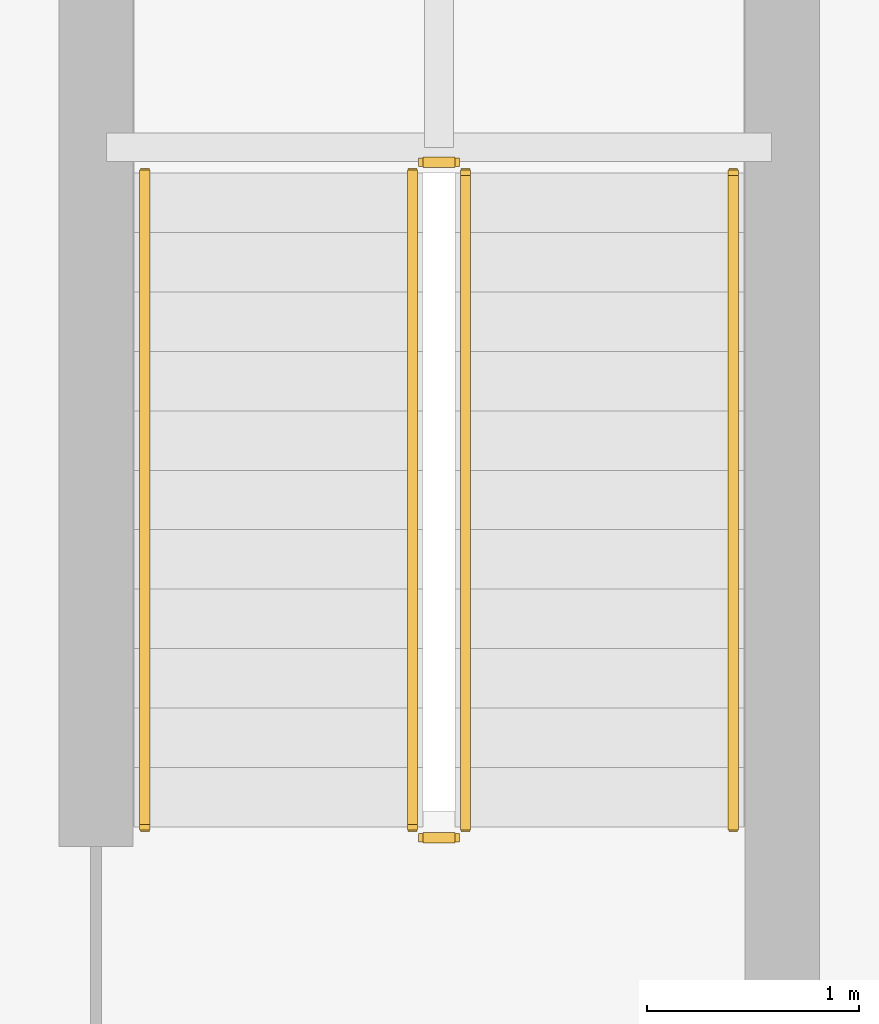
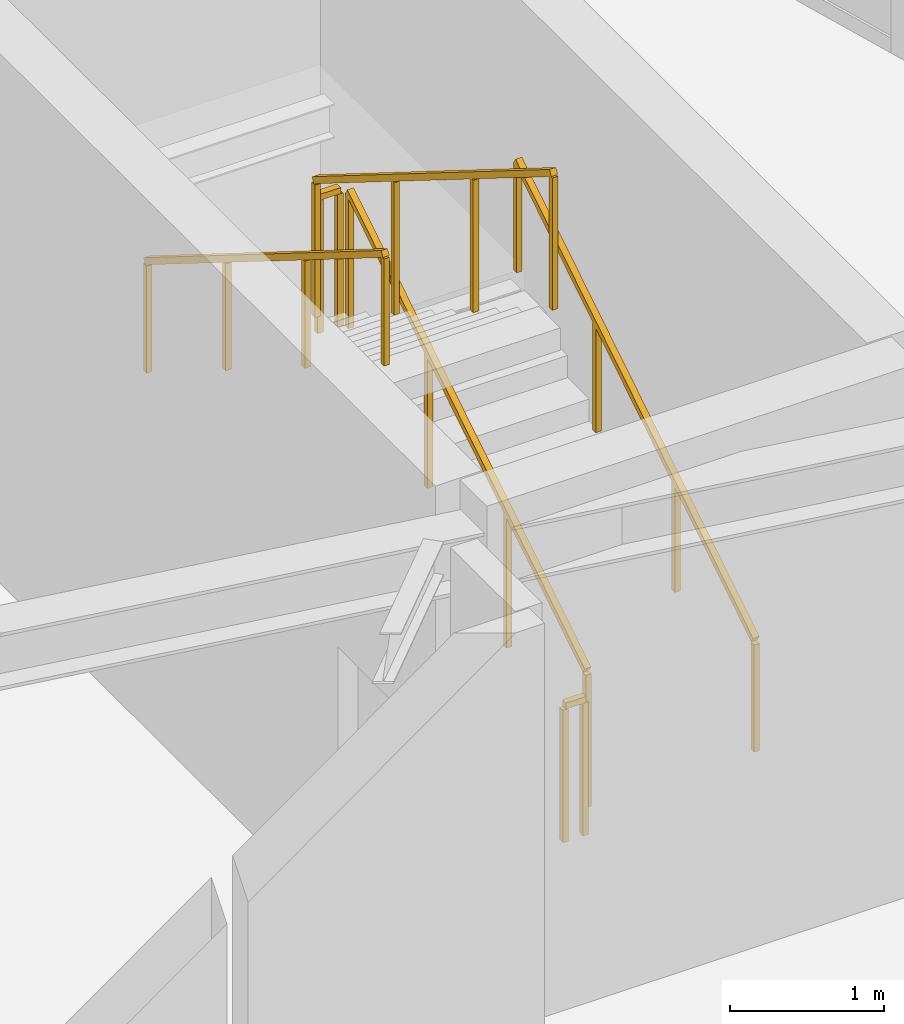
# One storey, part 18 of 20: 6 railings.
"""IFC4 building model written with IfcOpenShell, lengths in metres."""

from ifc_helpers import new_model, si_unit, direction, frame, origin, origin_2d, place, context, subcontext, project, spatial, rectangle, extrude, material, type_object, element, save


model = new_model("IFC4")

# Units and contexts
model_context = context("Model", 3, precision=1e-05, world=origin(), true_north=direction((0.0, 1.0)))
body_context = subcontext(model_context, "Body", "Model", "MODEL_VIEW")
ifc_project = project(units=[si_unit("LENGTHUNIT", "METRE"), si_unit("AREAUNIT", "SQUARE_METRE"), si_unit("VOLUMEUNIT", "CUBIC_METRE"), si_unit("PLANEANGLEUNIT", "RADIAN"), si_unit("MASSUNIT", "GRAM", prefix="KILO")], contexts=[model_context])

# Site, building, storey
site_placement = place(None, origin())
site = spatial("IfcSite", under=ifc_project, at=site_placement, CompositionType="ELEMENT")
building_placement = place(site_placement, origin())
building = spatial("IfcBuilding", under=site, at=building_placement, Name="Varnakorn Sky Granary", CompositionType="ELEMENT")
storey_placement = place(building_placement, frame((0.0, 0.0, 302.39990234375)))
storey = spatial("IfcBuildingStorey", under=building, at=storey_placement, Name="L77", CompositionType="ELEMENT", Elevation=302.39990234375)

# Railings
ifc_material = material(Name="Brushed Stainless Steel 316", Category="steel")
railing_type_1 = type_object("IfcRailingType", Name="RL-STAIR-1100", PredefinedType="GUARDRAIL", material=ifc_material)
railing_1_placement = place(storey_placement, frame((16.090087890625, -6.139892578125, 0.175048828125)))
element("IfcRailing", 1, at=railing_1_placement, inside=storey, type_object=railing_type_1, Name="L77 ST-C2 stair guard 1", PredefinedType="GUARDRAIL", context=body_context, shape_type="SweptSolid", body=[
    extrude(rectangle(XDim=0.048095703125, YDim=0.048095703125, at=origin_2d()), frame((0.0, 0.0, 1.076171875), z_axis=(0.0, 0.847979421464, 0.530029150871), x_axis=(-1.0, 0.0, 0.0)), (0.0, 0.0, 1.0), 3.632080078125),
    extrude(rectangle(XDim=0.0419921875, YDim=0.0419921875, at=origin_2d()), origin(), (0.0, 0.0, 1.0), 1.048095703125),
    extrude(rectangle(XDim=0.0419921875, YDim=0.0419921875, at=origin_2d()), frame((0.0, 1.026611328125, 0.6416015625)), (0.0, 0.0, 1.0), 1.048095703125),
    extrude(rectangle(XDim=0.0419921875, YDim=0.0419921875, at=origin_2d()), frame((0.0, 2.05322265625, 1.283447265625)), (0.0, 0.0, 1.0), 1.048095703125),
    extrude(rectangle(XDim=0.0419921875, YDim=0.0419921875, at=origin_2d()), frame((0.0, 3.079833984375, 1.925048828125)), (0.0, 0.0, 1.0), 1.048095703125),
])
railing_2_placement = place(storey_placement, frame((16.0400390625, -3.010009765625, 2.10009765625)))
element("IfcRailing", 2, at=railing_2_placement, inside=storey, type_object=railing_type_1, Name="L77 ST-C2 stair guard 2", PredefinedType="GUARDRAIL", context=body_context, shape_type="SweptSolid", body=[
    extrude(rectangle(XDim=0.048095703125, YDim=0.048095703125, at=origin_2d()), frame((0.0, 0.0, 1.076171875), z_axis=(-1.0, 0.0, 0.0), x_axis=(0.0, -1.0, 0.0)), (0.0, 0.0, 1.0), 0.150146484375),
    extrude(rectangle(XDim=0.0419921875, YDim=0.0419921875, at=origin_2d()), origin(), (0.0, 0.0, 1.0), 1.048095703125),
    extrude(rectangle(XDim=0.0419921875, YDim=0.0419921875, at=origin_2d()), frame((-0.150146484375, 0.0, 0.0)), (0.0, 0.0, 1.0), 1.048095703125),
])
railing_3_placement = place(storey_placement, frame((15.840087890625, -3.06005859375, 2.275146484375)))
element("IfcRailing", 3, at=railing_3_placement, inside=storey, type_object=railing_type_1, Name="L77 ST-C2 stair guard 3", PredefinedType="GUARDRAIL", context=body_context, shape_type="SweptSolid", body=[
    extrude(rectangle(XDim=0.048095703125, YDim=0.048095703125, at=origin_2d()), frame((0.0, 0.0, 1.076171875), z_axis=(0.0, -0.847979421464, 0.530029150871), x_axis=(1.0, 0.0, 0.0)), (0.0, 0.0, 1.0), 3.632080078125),
    extrude(rectangle(XDim=0.0419921875, YDim=0.0419921875, at=origin_2d()), origin(), (0.0, 0.0, 1.0), 1.048095703125),
    extrude(rectangle(XDim=0.0419921875, YDim=0.0419921875, at=origin_2d()), frame((0.0, -1.026611328125, 0.6416015625)), (0.0, 0.0, 1.0), 1.048095703125),
    extrude(rectangle(XDim=0.0419921875, YDim=0.0419921875, at=origin_2d()), frame((0.0, -2.05322265625, 1.283447265625)), (0.0, 0.0, 1.0), 1.048095703125),
    extrude(rectangle(XDim=0.0419921875, YDim=0.0419921875, at=origin_2d()), frame((0.0, -3.079833984375, 1.925048828125)), (0.0, 0.0, 1.0), 1.048095703125),
])
railing_4_placement = place(storey_placement, frame((16.0400390625, -6.18994140625, 0.0)))
element("IfcRailing", 4, at=railing_4_placement, inside=storey, type_object=railing_type_1, Name="L77 ST-C2 stair guard 4", PredefinedType="GUARDRAIL", context=body_context, shape_type="SweptSolid", body=[
    extrude(rectangle(XDim=0.048095703125, YDim=0.048095703125, at=origin_2d()), frame((0.0, 0.0, 1.076171875), z_axis=(-1.0, 0.0, 0.0), x_axis=(0.0, -1.0, 0.0)), (0.0, 0.0, 1.0), 0.150146484375),
    extrude(rectangle(XDim=0.0419921875, YDim=0.0419921875, at=origin_2d()), origin(), (0.0, 0.0, 1.0), 1.048095703125),
    extrude(rectangle(XDim=0.0419921875, YDim=0.0419921875, at=origin_2d()), frame((-0.150146484375, 0.0, 0.0)), (0.0, 0.0, 1.0), 1.048095703125),
])
railing_type_2 = type_object("IfcRailingType", Name="RL-STAIR-920", PredefinedType="HANDRAIL", material=ifc_material)
railing_5_placement = place(storey_placement, frame((17.35009765625, -6.139892578125, 0.175048828125)))
element("IfcRailing", 5, at=railing_5_placement, inside=storey, type_object=railing_type_2, Name="L77 ST-C2 stair handrail 1", PredefinedType="HANDRAIL", context=body_context, shape_type="SweptSolid", body=[
    extrude(rectangle(XDim=0.048095703125, YDim=0.048095703125, at=origin_2d()), frame((0.0, 0.0, 0.8759765625), z_axis=(0.0, 0.847979421464, 0.530029150871), x_axis=(-1.0, 0.0, 0.0)), (0.0, 0.0, 1.0), 3.632080078125),
    extrude(rectangle(XDim=0.0419921875, YDim=0.0419921875, at=origin_2d()), origin(), (0.0, 0.0, 1.0), 0.847900390625),
    extrude(rectangle(XDim=0.0419921875, YDim=0.0419921875, at=origin_2d()), frame((0.0, 1.026611328125, 0.6416015625)), (0.0, 0.0, 1.0), 0.847900390625),
    extrude(rectangle(XDim=0.0419921875, YDim=0.0419921875, at=origin_2d()), frame((0.0, 2.05322265625, 1.283447265625)), (0.0, 0.0, 1.0), 0.847900390625),
    extrude(rectangle(XDim=0.0419921875, YDim=0.0419921875, at=origin_2d()), frame((0.0, 3.079833984375, 1.925048828125)), (0.0, 0.0, 1.0), 0.847900390625),
])
railing_6_placement = place(storey_placement, frame((14.580078125, -3.06005859375, 2.275146484375)))
element("IfcRailing", 6, at=railing_6_placement, inside=storey, type_object=railing_type_2, Name="L77 ST-C2 stair handrail 2", PredefinedType="HANDRAIL", context=body_context, shape_type="SweptSolid", body=[
    extrude(rectangle(XDim=0.048095703125, YDim=0.048095703125, at=origin_2d()), frame((0.0, 0.0, 0.8759765625), z_axis=(0.0, -0.847979421464, 0.530029150871), x_axis=(1.0, 0.0, 0.0)), (0.0, 0.0, 1.0), 3.632080078125),
    extrude(rectangle(XDim=0.0419921875, YDim=0.0419921875, at=origin_2d()), origin(), (0.0, 0.0, 1.0), 0.847900390625),
    extrude(rectangle(XDim=0.0419921875, YDim=0.0419921875, at=origin_2d()), frame((0.0, -1.026611328125, 0.6416015625)), (0.0, 0.0, 1.0), 0.847900390625),
    extrude(rectangle(XDim=0.0419921875, YDim=0.0419921875, at=origin_2d()), frame((0.0, -2.05322265625, 1.283447265625)), (0.0, 0.0, 1.0), 0.847900390625),
    extrude(rectangle(XDim=0.0419921875, YDim=0.0419921875, at=origin_2d()), frame((0.0, -3.079833984375, 1.925048828125)), (0.0, 0.0, 1.0), 0.847900390625),
])

save(model, "model.ifc")
